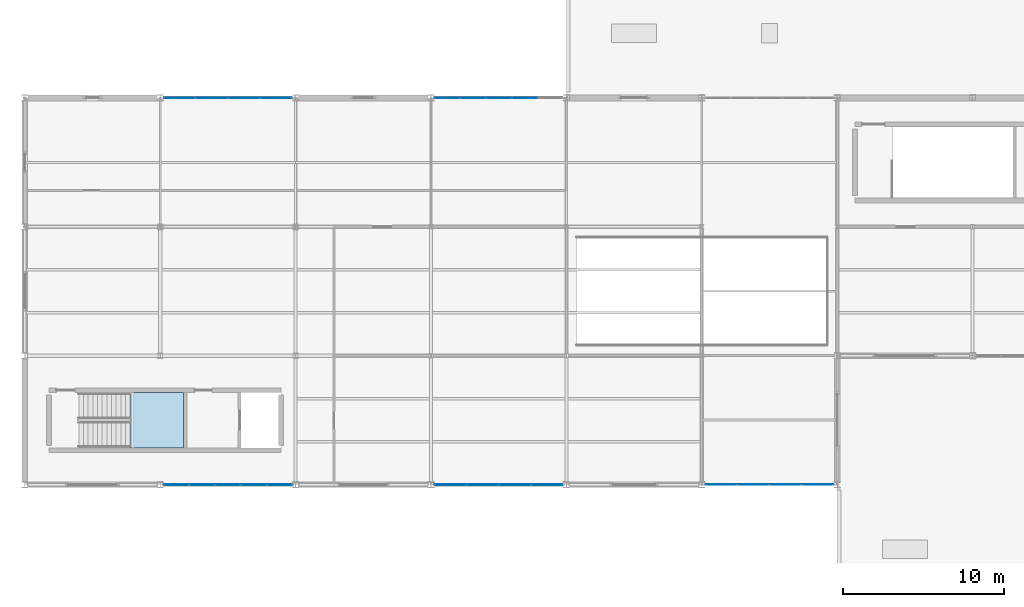
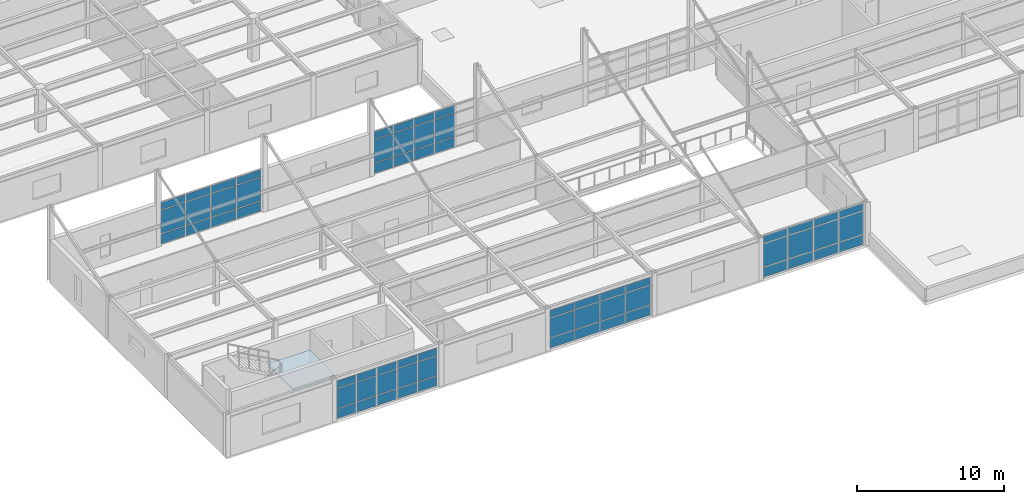
# One storey, part 36 of 96: 63 plates, 1 slab, 6 elements without a shape of their own.
"""IFC4 building model written with IfcOpenShell, lengths in metres."""

import ifcopenshell
import ifcopenshell.guid

model = None  # the IFC model being written
_history = None  # IfcOwnerHistory: only IFC2X3 demands one
_inside = {}  # id of a spatial element -> (the spatial element, [elements in it])
_under = {}  # id of a project, library or spatial element -> (it, [spatial elements below it])
_declared = {}  # id of a project -> (the project, [libraries it declares])
_typed = {}  # id of a type object -> (the type object, [elements of that type])
_made_of = {}  # id of a material, layer set ... -> (it, [elements and type objects made of it])


def new_model(schema):
    """Start an empty IFC model of exactly this schema.

    Asked for "IFC4X3", IfcOpenShell would pick the latest addendum, in which some entities
    have other attributes; the version numbers below select the first issue.
    IFC2X3 requires an IfcOwnerHistory on every rooted entity: one is made here for all.
    """
    global model, _history
    if schema == "IFC4X3":
        model = ifcopenshell.file(schema_version=(4, 3, 0, 0))
    else:
        model = ifcopenshell.file(schema=schema)
    _inside.clear()
    _under.clear()
    _declared.clear()
    _typed.clear()
    _made_of.clear()
    _history = None
    if model.schema == "IFC2X3":
        org = make("IfcOrganization", Name="unknown")
        user = make(
            "IfcPersonAndOrganization",
            ThePerson=make("IfcPerson", FamilyName="unknown"),
            TheOrganization=org,
        )
        app = make(
            "IfcApplication",
            ApplicationDeveloper=org,
            Version="unknown",
            ApplicationFullName="unknown",
            ApplicationIdentifier="unknown",
        )
        _history = make(
            "IfcOwnerHistory",
            OwningUser=user,
            OwningApplication=app,
            ChangeAction="ADDED",
            CreationDate=0,
        )
    return model


def make(cls, **values):
    """One entity of the class cls with the attributes given. An attribute that is None is left unset."""
    return model.create_entity(
        cls, **{name: value for name, value in values.items() if value is not None}
    )


def rooted(cls, **values):
    """An entity with a GlobalId (a new one), such as an element, a storey or a relation."""
    return make(cls, GlobalId=ifcopenshell.guid.new(), OwnerHistory=_history, **values)


def si_unit(unit_type, name, prefix=None):
    """IfcSIUnit, for example si_unit("LENGTHUNIT", "METRE", prefix="MILLI")."""
    return make("IfcSIUnit", UnitType=unit_type, Prefix=prefix, Name=name)


def assignment(units):
    """IfcUnitAssignment: the units of a project."""
    return None if units is None else make("IfcUnitAssignment", Units=units)


def point(xyz):
    """IfcCartesianPoint."""
    return None if xyz is None else make("IfcCartesianPoint", Coordinates=xyz)


def direction(xyz):
    """IfcDirection."""
    return None if xyz is None else make("IfcDirection", DirectionRatios=xyz)


def frame(location, z_axis=None, x_axis=None):
    """IfcAxis2Placement3D, a coordinate frame: its origin and axes. An axis left out is left unset."""
    return make(
        "IfcAxis2Placement3D",
        Location=point(location),
        Axis=direction(z_axis),
        RefDirection=direction(x_axis),
    )


def frame_2d(location, x_axis=None):
    """IfcAxis2Placement2D, a coordinate frame in the plane: its origin and x axis."""
    return make(
        "IfcAxis2Placement2D", Location=point(location), RefDirection=direction(x_axis)
    )


def origin():
    """The frame at (0, 0, 0) with its axes left unset."""
    return frame((0.0, 0.0, 0.0))


def origin_2d():
    """The frame at (0, 0) in the plane with its x axis left unset."""
    return frame_2d((0.0, 0.0))


def place(relative_to, where):
    """IfcLocalPlacement: puts the frame where relative to a parent placement (None: the world)."""
    return make(
        "IfcLocalPlacement", PlacementRelTo=relative_to, RelativePlacement=where
    )


def context(
    kind, dimensions, precision=None, world=None, true_north=None, identifier=None
):
    """IfcGeometricRepresentationContext, for example the 3D "Model" context."""
    return make(
        "IfcGeometricRepresentationContext",
        ContextIdentifier=identifier,
        ContextType=kind,
        CoordinateSpaceDimension=dimensions,
        Precision=precision,
        WorldCoordinateSystem=world,
        TrueNorth=true_north,
    )


def subcontext(parent, identifier, kind, view, scale=None):
    """IfcGeometricRepresentationSubContext, for example "Body" below "Model"."""
    return make(
        "IfcGeometricRepresentationSubContext",
        ContextIdentifier=identifier,
        ContextType=kind,
        ParentContext=parent,
        TargetScale=scale,
        TargetView=view,
    )


def project(units=None, contexts=None):
    """IfcProject with its units and contexts."""
    return rooted(
        "IfcProject",
        Name="project",
        RepresentationContexts=contexts,
        UnitsInContext=assignment(units),
    )


def spatial(cls, under=None, at=None, **own):
    """A site, building, storey or space (cls), placed at a placement, below another one or the project."""
    s = rooted(cls, ObjectPlacement=at, **own)
    if under is not None:
        _under.setdefault(under.id(), (under, []))[1].append(s)
    return s


def polyline(points):
    """IfcPolyline through the points."""
    return make("IfcPolyline", Points=[point(p) for p in points])


def profile(cls, at=None, kind="AREA", **sizes):
    """A parametric profile (cls). Its sizes go by their IFC names, for example OverallWidth=200.0."""
    return make(cls, ProfileType=kind, Position=at, **sizes)


def rectangle(**sizes):
    """IfcRectangleProfileDef."""
    return profile("IfcRectangleProfileDef", **sizes)


def outline(outer, holes=None, kind="AREA"):
    """IfcArbitraryClosedProfileDef: a profile drawn as a closed curve; with holes, ...WithVoids."""
    if holes is None:
        return make("IfcArbitraryClosedProfileDef", ProfileType=kind, OuterCurve=outer)
    return make(
        "IfcArbitraryProfileDefWithVoids",
        ProfileType=kind,
        OuterCurve=outer,
        InnerCurves=holes,
    )


def extrude(swept, where, along, depth):
    """IfcExtrudedAreaSolid: the profile swept, set in the frame where, extruded along a direction by depth."""
    return make(
        "IfcExtrudedAreaSolid",
        SweptArea=swept,
        Position=where,
        ExtrudedDirection=direction(along),
        Depth=depth,
    )


def shape(context_of_items, identifier, shape_type, items):
    """IfcShapeRepresentation: the items that make up one representation, for example the "Body"."""
    return make(
        "IfcShapeRepresentation",
        ContextOfItems=context_of_items,
        RepresentationIdentifier=identifier,
        RepresentationType=shape_type,
        Items=items,
    )


def material(Name=None, Category=None):
    """IfcMaterial."""
    return make("IfcMaterial", Name=Name, Category=Category)


def layer(
    of_material, thickness, ventilated=None, Name=None, Category=None, Priority=None
):
    """IfcMaterialLayer: one layer of a wall or slab, of a material (None: an air gap)."""
    return make(
        "IfcMaterialLayer",
        Material=of_material,
        LayerThickness=thickness,
        IsVentilated=ventilated,
        Name=Name,
        Category=Category,
        Priority=Priority,
    )


def layer_set(layers, Name=None):
    """IfcMaterialLayerSet."""
    return make("IfcMaterialLayerSet", MaterialLayers=layers, LayerSetName=Name)


def made_of(thing, what):
    """Note that an element or type object is made of a material, layer set ...; save() writes the relation."""
    if what is not None:
        _made_of.setdefault(what.id(), (what, []))[1].append(thing)
    return thing


def type_object(cls, material=None, **own):
    """A type object (cls), such as IfcWallType, which elements share."""
    return made_of(rooted(cls, **own), material)


def element(
    cls,
    number,
    at=None,
    inside=None,
    cuts=None,
    type_object=None,
    material=None,
    context=None,
    identifier="Body",
    shape_type=None,
    held_by="IfcProductDefinitionShape",
    body=None,
    shapes=None,
    **own,
):
    """One element of the class cls, such as IfcWall. Its Tag is "e" and its number.

    at: its placement. inside: the storey or other place that contains it. cuts: it is an
    opening in that element (IfcRelVoidsElement). A single representation is given by context,
    identifier, shape_type and body (its items); several are given by shapes. held_by: the class
    of the entity that holds the representations. save() writes the other relations.
    """
    e = rooted(cls, Tag="e%d" % number, ObjectPlacement=at, **own)
    if body is not None:
        shapes = [shape(context, identifier, shape_type, body)]
    if shapes is not None:
        e.Representation = make(held_by, Representations=shapes)
    if inside is not None:
        _inside.setdefault(inside.id(), (inside, []))[1].append(e)
    if cuts is not None:
        rooted(
            "IfcRelVoidsElement", RelatingBuildingElement=cuts, RelatedOpeningElement=e
        )
    if type_object is not None:
        _typed.setdefault(type_object.id(), (type_object, []))[1].append(e)
    return made_of(e, material)


def aggregate(whole, parts):
    """IfcRelAggregates: a whole, such as a stair, and the parts it consists of."""
    return rooted("IfcRelAggregates", RelatingObject=whole, RelatedObjects=parts)


def save(model, path):
    """Write the relations noted so far, then the file.

    IfcRelAggregates (storeys below a building ...), IfcRelContainedInSpatialStructure (elements
    in a storey), IfcRelDefinesByType, IfcRelAssociatesMaterial and IfcRelDeclares: one each for
    every whole, place, type object, material and project.
    """
    for whole, parts in _under.values():
        aggregate(whole, parts)
    for where, things in _inside.values():
        rooted(
            "IfcRelContainedInSpatialStructure",
            RelatedElements=things,
            RelatingStructure=where,
        )
    for kind, things in _typed.values():
        rooted("IfcRelDefinesByType", RelatedObjects=things, RelatingType=kind)
    for what, things in _made_of.values():
        rooted("IfcRelAssociatesMaterial", RelatedObjects=things, RelatingMaterial=what)
    for by, libraries in _declared.values():
        rooted("IfcRelDeclares", RelatingContext=by, RelatedDefinitions=libraries)
    model.write(path)


model = new_model("IFC4")

# Units and contexts
model_context = context("Model", 3, precision=1e-05, world=origin(), true_north=direction((0.0, 1.0)))
body_context = subcontext(model_context, "Body", "Model", "MODEL_VIEW")
ifc_project = project(units=[si_unit("LENGTHUNIT", "METRE"), si_unit("AREAUNIT", "SQUARE_METRE"), si_unit("VOLUMEUNIT", "CUBIC_METRE"), si_unit("PLANEANGLEUNIT", "RADIAN"), si_unit("MASSUNIT", "GRAM", prefix="KILO")], contexts=[model_context])

# Site, building, storey
site_placement = place(None, origin())
site = spatial("IfcSite", under=ifc_project, at=site_placement, CompositionType="ELEMENT")
building_placement = place(site_placement, origin())
building = spatial("IfcBuilding", under=site, at=building_placement, Name="Kranzveld Transit Interchange", CompositionType="ELEMENT")
storey_placement = place(building_placement, frame((0.0, 0.0, 9.52001953125)))
storey = spatial("IfcBuildingStorey", under=building, at=storey_placement, Name="L02", CompositionType="ELEMENT", Elevation=9.52001953125)

# Curtain wall, plates
ifc_material_1 = material(Name="Bronze-anodised thermally broken aluminium", Category="aluminium")
ifc_layer_1 = layer(ifc_material_1, 0.159912109375)
ifc_layer_set_1 = layer_set([ifc_layer_1], Name="Bronze-anodised thermally broken aluminium")
curtain_wall_type_1 = type_object("IfcCurtainWallType", Name="Bus Boarding Glazed Screen CW-3", PredefinedType="USERDEFINED", material=ifc_layer_set_1)
curtain_wall_1_placement = place(storey_placement, origin())
curtain_wall_1 = element("IfcCurtainWall", 1, at=curtain_wall_1_placement, inside=storey, type_object=curtain_wall_type_1, Name="L02 Curtain Wall 02/F-03/F", ObjectType="CURTAIN WALL", PredefinedType="USERDEFINED")
ifc_material_2 = material(Name="Solar-control double glazing", Category="glass")
ifc_layer_2 = layer(ifc_material_2, 0.031982421875)
ifc_layer_set_2 = layer_set([ifc_layer_2], Name="Solar-control double glazing")
plate_type_1 = type_object("IfcPlateType", Name="Curtain Panel Acoustic Glazing 32", PredefinedType="CURTAIN_PANEL", material=ifc_layer_set_2)
plate_1_placement = place(storey_placement, frame((9.60546875, 40.0, 0.06005859375), z_axis=(0.0, 0.0, 1.0), x_axis=(1.0, 0.0, 0.0)))
plate_1 = element("IfcPlate", 2, at=plate_1_placement, type_object=plate_type_1, Name="CW-3 panel 1.1", PredefinedType="CURTAIN_PANEL", context=body_context, shape_type="SweptSolid", body=[
    extrude(rectangle(XDim=1.916259765625, YDim=0.031982421875, at=origin_2d()), origin(), (0.0, 0.0, 1.0), 0.81005859375),
])
plate_2_placement = place(storey_placement, frame((9.60546875, 40.0, 0.93017578125), z_axis=(0.0, 0.0, 1.0), x_axis=(1.0, 0.0, 0.0)))
plate_2 = element("IfcPlate", 3, at=plate_2_placement, type_object=plate_type_1, Name="CW-3 panel 1.2", PredefinedType="CURTAIN_PANEL", context=body_context, shape_type="SweptSolid", body=[
    extrude(rectangle(XDim=1.916259765625, YDim=0.031982421875, at=origin_2d()), origin(), (0.0, 0.0, 1.0), 1.909912109375),
])
plate_3_placement = place(storey_placement, frame((9.60546875, 40.0, 2.89990234375), z_axis=(0.0, 0.0, 1.0), x_axis=(1.0, 0.0, 0.0)))
plate_3 = element("IfcPlate", 4, at=plate_3_placement, type_object=plate_type_1, Name="CW-3 panel 1.3", PredefinedType="CURTAIN_PANEL", context=body_context, shape_type="SweptSolid", body=[
    extrude(rectangle(XDim=1.916259765625, YDim=0.031982421875, at=origin_2d()), origin(), (0.0, 0.0, 1.0), 0.610107421875),
])
plate_4_placement = place(storey_placement, frame((11.596923828125, 40.0, 0.06005859375), z_axis=(0.0, 0.0, 1.0), x_axis=(1.0, 0.0, 0.0)))
plate_4 = element("IfcPlate", 5, at=plate_4_placement, type_object=plate_type_1, Name="CW-3 panel 2.1", PredefinedType="CURTAIN_PANEL", context=body_context, shape_type="SweptSolid", body=[
    extrude(rectangle(XDim=1.9462890625, YDim=0.031982421875, at=origin_2d()), origin(), (0.0, 0.0, 1.0), 0.81005859375),
])
plate_5_placement = place(storey_placement, frame((11.596923828125, 40.0, 0.93017578125), z_axis=(0.0, 0.0, 1.0), x_axis=(1.0, 0.0, 0.0)))
plate_5 = element("IfcPlate", 6, at=plate_5_placement, type_object=plate_type_1, Name="CW-3 panel 2.2", PredefinedType="CURTAIN_PANEL", context=body_context, shape_type="SweptSolid", body=[
    extrude(rectangle(XDim=1.9462890625, YDim=0.031982421875, at=origin_2d()), origin(), (0.0, 0.0, 1.0), 1.909912109375),
])
plate_6_placement = place(storey_placement, frame((11.596923828125, 40.0, 2.89990234375), z_axis=(0.0, 0.0, 1.0), x_axis=(1.0, 0.0, 0.0)))
plate_6 = element("IfcPlate", 7, at=plate_6_placement, type_object=plate_type_1, Name="CW-3 panel 2.3", PredefinedType="CURTAIN_PANEL", context=body_context, shape_type="SweptSolid", body=[
    extrude(rectangle(XDim=1.9462890625, YDim=0.031982421875, at=origin_2d()), origin(), (0.0, 0.0, 1.0), 0.610107421875),
])
plate_7_placement = place(storey_placement, frame((13.603271484375, 40.0, 0.06005859375), z_axis=(0.0, 0.0, 1.0), x_axis=(1.0, 0.0, 0.0)))
plate_7 = element("IfcPlate", 8, at=plate_7_placement, type_object=plate_type_1, Name="CW-3 panel 3.1", PredefinedType="CURTAIN_PANEL", context=body_context, shape_type="SweptSolid", body=[
    extrude(rectangle(XDim=1.9462890625, YDim=0.031982421875, at=origin_2d()), origin(), (0.0, 0.0, 1.0), 0.81005859375),
])
plate_8_placement = place(storey_placement, frame((13.603271484375, 40.0, 0.93017578125), z_axis=(0.0, 0.0, 1.0), x_axis=(1.0, 0.0, 0.0)))
plate_8 = element("IfcPlate", 9, at=plate_8_placement, type_object=plate_type_1, Name="CW-3 panel 3.2", PredefinedType="CURTAIN_PANEL", context=body_context, shape_type="SweptSolid", body=[
    extrude(rectangle(XDim=1.9462890625, YDim=0.031982421875, at=origin_2d()), origin(), (0.0, 0.0, 1.0), 1.909912109375),
])
plate_9_placement = place(storey_placement, frame((13.603271484375, 40.0, 2.89990234375), z_axis=(0.0, 0.0, 1.0), x_axis=(1.0, 0.0, 0.0)))
plate_9 = element("IfcPlate", 10, at=plate_9_placement, type_object=plate_type_1, Name="CW-3 panel 3.3", PredefinedType="CURTAIN_PANEL", context=body_context, shape_type="SweptSolid", body=[
    extrude(rectangle(XDim=1.9462890625, YDim=0.031982421875, at=origin_2d()), origin(), (0.0, 0.0, 1.0), 0.610107421875),
])
plate_10_placement = place(storey_placement, frame((15.594482421875, 40.0, 0.06005859375), z_axis=(0.0, 0.0, 1.0), x_axis=(1.0, 0.0, 0.0)))
plate_10 = element("IfcPlate", 11, at=plate_10_placement, type_object=plate_type_1, Name="CW-3 panel 4.1", PredefinedType="CURTAIN_PANEL", context=body_context, shape_type="SweptSolid", body=[
    extrude(rectangle(XDim=1.916259765625, YDim=0.031982421875, at=origin_2d()), origin(), (0.0, 0.0, 1.0), 0.81005859375),
])
plate_11_placement = place(storey_placement, frame((15.594482421875, 40.0, 0.93017578125), z_axis=(0.0, 0.0, 1.0), x_axis=(1.0, 0.0, 0.0)))
plate_11 = element("IfcPlate", 12, at=plate_11_placement, type_object=plate_type_1, Name="CW-3 panel 4.2", PredefinedType="CURTAIN_PANEL", context=body_context, shape_type="SweptSolid", body=[
    extrude(rectangle(XDim=1.916259765625, YDim=0.031982421875, at=origin_2d()), origin(), (0.0, 0.0, 1.0), 1.909912109375),
])
plate_12_placement = place(storey_placement, frame((15.594482421875, 40.0, 2.89990234375), z_axis=(0.0, 0.0, 1.0), x_axis=(1.0, 0.0, 0.0)))
plate_12 = element("IfcPlate", 13, at=plate_12_placement, type_object=plate_type_1, Name="CW-3 panel 4.3", PredefinedType="CURTAIN_PANEL", context=body_context, shape_type="SweptSolid", body=[
    extrude(rectangle(XDim=1.916259765625, YDim=0.031982421875, at=origin_2d()), origin(), (0.0, 0.0, 1.0), 0.610107421875),
])
aggregate(curtain_wall_1, [plate_1, plate_2, plate_3, plate_4, plate_5, plate_6, plate_7, plate_8, plate_9, plate_10, plate_11, plate_12])

ifc_material_3 = material(Name="Bronze-anodised thermally broken aluminium", Category="aluminium")
ifc_layer_3 = layer(ifc_material_3, 0.179931640625)
ifc_layer_set_3 = layer_set([ifc_layer_3], Name="Bronze-anodised thermally broken aluminium")
curtain_wall_type_2 = type_object("IfcCurtainWallType", Name="Concourse Unitised Curtain Wall CW-1", PredefinedType="USERDEFINED", material=ifc_layer_set_3)
curtain_wall_2_placement = place(storey_placement, origin())
curtain_wall_2 = element("IfcCurtainWall", 14, at=curtain_wall_2_placement, inside=storey, type_object=curtain_wall_type_2, Name="L02 Curtain Wall 06/C-07/C", ObjectType="CURTAIN WALL", PredefinedType="USERDEFINED")
ifc_material_4 = material(Name="Solar-control double glazing", Category="glass")
ifc_layer_4 = layer(ifc_material_4, 0.028076171875)
ifc_layer_set_4 = layer_set([ifc_layer_4], Name="Solar-control double glazing")
plate_type_2 = type_object("IfcPlateType", Name="Curtain Panel Double Glazing 28", PredefinedType="CURTAIN_PANEL", material=ifc_layer_set_4)
plate_13_placement = place(storey_placement, frame((43.206787109375, 16.0, 0.06494140625), z_axis=(0.0, 0.0, 1.0), x_axis=(1.0, 0.0, 0.0)))
plate_13 = element("IfcPlate", 15, at=plate_13_placement, type_object=plate_type_2, Name="CW-1 panel 1.1", PredefinedType="CURTAIN_PANEL", context=body_context, shape_type="SweptSolid", body=[
    extrude(rectangle(XDim=1.908935546875, YDim=0.028076171875, at=origin_2d()), origin(), (0.0, 0.0, 1.0), 0.802490234375),
])
plate_14_placement = place(storey_placement, frame((43.206787109375, 16.0, 0.9326171875), z_axis=(0.0, 0.0, 1.0), x_axis=(1.0, 0.0, 0.0)))
plate_14 = element("IfcPlate", 16, at=plate_14_placement, type_object=plate_type_2, Name="CW-1 panel 1.2", PredefinedType="CURTAIN_PANEL", context=body_context, shape_type="SweptSolid", body=[
    extrude(rectangle(XDim=1.908935546875, YDim=0.028076171875, at=origin_2d()), origin(), (0.0, 0.0, 1.0), 1.905029296875),
])
plate_15_placement = place(storey_placement, frame((43.206787109375, 16.0, 2.90234375), z_axis=(0.0, 0.0, 1.0), x_axis=(1.0, 0.0, 0.0)))
plate_15 = element("IfcPlate", 17, at=plate_15_placement, type_object=plate_type_2, Name="CW-1 panel 1.3", PredefinedType="CURTAIN_PANEL", context=body_context, shape_type="SweptSolid", body=[
    extrude(rectangle(XDim=1.908935546875, YDim=0.028076171875, at=origin_2d()), origin(), (0.0, 0.0, 1.0), 0.6025390625),
])
plate_16_placement = place(storey_placement, frame((45.19677734375, 16.0, 0.06494140625), z_axis=(0.0, 0.0, 1.0), x_axis=(1.0, 0.0, 0.0)))
plate_16 = element("IfcPlate", 18, at=plate_16_placement, type_object=plate_type_2, Name="CW-1 panel 2.1", PredefinedType="CURTAIN_PANEL", context=body_context, shape_type="SweptSolid", body=[
    extrude(rectangle(XDim=1.94140625, YDim=0.028076171875, at=origin_2d()), origin(), (0.0, 0.0, 1.0), 0.802490234375),
])
plate_17_placement = place(storey_placement, frame((45.19677734375, 16.0, 0.9326171875), z_axis=(0.0, 0.0, 1.0), x_axis=(1.0, 0.0, 0.0)))
plate_17 = element("IfcPlate", 19, at=plate_17_placement, type_object=plate_type_2, Name="CW-1 panel 2.2", PredefinedType="CURTAIN_PANEL", context=body_context, shape_type="SweptSolid", body=[
    extrude(rectangle(XDim=1.94140625, YDim=0.028076171875, at=origin_2d()), origin(), (0.0, 0.0, 1.0), 1.905029296875),
])
plate_18_placement = place(storey_placement, frame((45.19677734375, 16.0, 2.90234375), z_axis=(0.0, 0.0, 1.0), x_axis=(1.0, 0.0, 0.0)))
plate_18 = element("IfcPlate", 20, at=plate_18_placement, type_object=plate_type_2, Name="CW-1 panel 2.3", PredefinedType="CURTAIN_PANEL", context=body_context, shape_type="SweptSolid", body=[
    extrude(rectangle(XDim=1.94140625, YDim=0.028076171875, at=origin_2d()), origin(), (0.0, 0.0, 1.0), 0.6025390625),
])
plate_19_placement = place(storey_placement, frame((47.203125, 16.0, 0.06494140625), z_axis=(0.0, 0.0, 1.0), x_axis=(1.0, 0.0, 0.0)))
plate_19 = element("IfcPlate", 21, at=plate_19_placement, type_object=plate_type_2, Name="CW-1 panel 3.1", PredefinedType="CURTAIN_PANEL", context=body_context, shape_type="SweptSolid", body=[
    extrude(rectangle(XDim=1.94140625, YDim=0.028076171875, at=origin_2d()), origin(), (0.0, 0.0, 1.0), 0.802490234375),
])
plate_20_placement = place(storey_placement, frame((47.203125, 16.0, 0.9326171875), z_axis=(0.0, 0.0, 1.0), x_axis=(1.0, 0.0, 0.0)))
plate_20 = element("IfcPlate", 22, at=plate_20_placement, type_object=plate_type_2, Name="CW-1 panel 3.2", PredefinedType="CURTAIN_PANEL", context=body_context, shape_type="SweptSolid", body=[
    extrude(rectangle(XDim=1.94140625, YDim=0.028076171875, at=origin_2d()), origin(), (0.0, 0.0, 1.0), 1.905029296875),
])
plate_21_placement = place(storey_placement, frame((47.203125, 16.0, 2.90234375), z_axis=(0.0, 0.0, 1.0), x_axis=(1.0, 0.0, 0.0)))
plate_21 = element("IfcPlate", 23, at=plate_21_placement, type_object=plate_type_2, Name="CW-1 panel 3.3", PredefinedType="CURTAIN_PANEL", context=body_context, shape_type="SweptSolid", body=[
    extrude(rectangle(XDim=1.94140625, YDim=0.028076171875, at=origin_2d()), origin(), (0.0, 0.0, 1.0), 0.6025390625),
])
plate_22_placement = place(storey_placement, frame((49.193359375, 16.0, 0.06494140625), z_axis=(0.0, 0.0, 1.0), x_axis=(1.0, 0.0, 0.0)))
plate_22 = element("IfcPlate", 24, at=plate_22_placement, type_object=plate_type_2, Name="CW-1 panel 4.1", PredefinedType="CURTAIN_PANEL", context=body_context, shape_type="SweptSolid", body=[
    extrude(rectangle(XDim=1.908935546875, YDim=0.028076171875, at=origin_2d()), origin(), (0.0, 0.0, 1.0), 0.802490234375),
])
plate_23_placement = place(storey_placement, frame((49.193359375, 16.0, 0.9326171875), z_axis=(0.0, 0.0, 1.0), x_axis=(1.0, 0.0, 0.0)))
plate_23 = element("IfcPlate", 25, at=plate_23_placement, type_object=plate_type_2, Name="CW-1 panel 4.2", PredefinedType="CURTAIN_PANEL", context=body_context, shape_type="SweptSolid", body=[
    extrude(rectangle(XDim=1.908935546875, YDim=0.028076171875, at=origin_2d()), origin(), (0.0, 0.0, 1.0), 1.905029296875),
])
plate_24_placement = place(storey_placement, frame((49.193359375, 16.0, 2.90234375), z_axis=(0.0, 0.0, 1.0), x_axis=(1.0, 0.0, 0.0)))
plate_24 = element("IfcPlate", 26, at=plate_24_placement, type_object=plate_type_2, Name="CW-1 panel 4.3", PredefinedType="CURTAIN_PANEL", context=body_context, shape_type="SweptSolid", body=[
    extrude(rectangle(XDim=1.908935546875, YDim=0.028076171875, at=origin_2d()), origin(), (0.0, 0.0, 1.0), 0.6025390625),
])
aggregate(curtain_wall_2, [plate_13, plate_14, plate_15, plate_16, plate_17, plate_18, plate_19, plate_20, plate_21, plate_22, plate_23, plate_24])

ifc_material_5 = material(Name="Bronze-anodised thermally broken aluminium", Category="aluminium")
ifc_layer_5 = layer(ifc_material_5, 0.14990234375)
ifc_layer_set_5 = layer_set([ifc_layer_5], Name="Bronze-anodised thermally broken aluminium")
curtain_wall_type_3 = type_object("IfcCurtainWallType", Name="Public Passage Clerestory Screen CW-4", PredefinedType="USERDEFINED", material=ifc_layer_set_5)
curtain_wall_3_placement = place(storey_placement, origin())
curtain_wall_3 = element("IfcCurtainWall", 27, at=curtain_wall_3_placement, inside=storey, type_object=curtain_wall_type_3, Name="L02 Curtain Wall 04/F-05/F", ObjectType="CURTAIN WALL", PredefinedType="USERDEFINED")
ifc_material_6 = material(Name="Solar-control double glazing", Category="glass")
ifc_layer_6 = layer(ifc_material_6, 0.0419921875)
ifc_layer_set_6 = layer_set([ifc_layer_6], Name="Solar-control double glazing")
plate_type_3 = type_object("IfcPlateType", Name="Curtain Panel Laminated Glazing 42", PredefinedType="CURTAIN_PANEL", material=ifc_layer_set_6)
plate_25_placement = place(storey_placement, frame((26.204833984375, 40.0, 0.06005859375), z_axis=(0.0, 0.0, 1.0), x_axis=(1.0, 0.0, 0.0)))
plate_25 = element("IfcPlate", 28, at=plate_25_placement, type_object=plate_type_3, Name="CW-4 panel 1.1", PredefinedType="CURTAIN_PANEL", context=body_context, shape_type="SweptSolid", body=[
    extrude(rectangle(XDim=1.51513671875, YDim=0.0419921875, at=origin_2d()), origin(), (0.0, 0.0, 1.0), 0.81005859375),
])
plate_26_placement = place(storey_placement, frame((26.204833984375, 40.0, 0.93017578125), z_axis=(0.0, 0.0, 1.0), x_axis=(1.0, 0.0, 0.0)))
plate_26 = element("IfcPlate", 29, at=plate_26_placement, type_object=plate_type_3, Name="CW-4 panel 1.2", PredefinedType="CURTAIN_PANEL", context=body_context, shape_type="SweptSolid", body=[
    extrude(rectangle(XDim=1.51513671875, YDim=0.0419921875, at=origin_2d()), origin(), (0.0, 0.0, 1.0), 1.909912109375),
])
plate_27_placement = place(storey_placement, frame((26.204833984375, 40.0, 2.89990234375), z_axis=(0.0, 0.0, 1.0), x_axis=(1.0, 0.0, 0.0)))
plate_27 = element("IfcPlate", 30, at=plate_27_placement, type_object=plate_type_3, Name="CW-4 panel 1.3", PredefinedType="CURTAIN_PANEL", context=body_context, shape_type="SweptSolid", body=[
    extrude(rectangle(XDim=1.51513671875, YDim=0.0419921875, at=origin_2d()), origin(), (0.0, 0.0, 1.0), 0.610107421875),
])
plate_28_placement = place(storey_placement, frame((27.794921875, 40.0, 0.06005859375), z_axis=(0.0, 0.0, 1.0), x_axis=(1.0, 0.0, 0.0)))
plate_28 = element("IfcPlate", 31, at=plate_28_placement, type_object=plate_type_3, Name="CW-4 panel 2.1", PredefinedType="CURTAIN_PANEL", context=body_context, shape_type="SweptSolid", body=[
    extrude(rectangle(XDim=1.545166015625, YDim=0.0419921875, at=origin_2d()), origin(), (0.0, 0.0, 1.0), 0.81005859375),
])
plate_29_placement = place(storey_placement, frame((27.794921875, 40.0, 0.93017578125), z_axis=(0.0, 0.0, 1.0), x_axis=(1.0, 0.0, 0.0)))
plate_29 = element("IfcPlate", 32, at=plate_29_placement, type_object=plate_type_3, Name="CW-4 panel 2.2", PredefinedType="CURTAIN_PANEL", context=body_context, shape_type="SweptSolid", body=[
    extrude(rectangle(XDim=1.545166015625, YDim=0.0419921875, at=origin_2d()), origin(), (0.0, 0.0, 1.0), 1.909912109375),
])
plate_30_placement = place(storey_placement, frame((27.794921875, 40.0, 2.89990234375), z_axis=(0.0, 0.0, 1.0), x_axis=(1.0, 0.0, 0.0)))
plate_30 = element("IfcPlate", 33, at=plate_30_placement, type_object=plate_type_3, Name="CW-4 panel 2.3", PredefinedType="CURTAIN_PANEL", context=body_context, shape_type="SweptSolid", body=[
    extrude(rectangle(XDim=1.545166015625, YDim=0.0419921875, at=origin_2d()), origin(), (0.0, 0.0, 1.0), 0.610107421875),
])
plate_31_placement = place(storey_placement, frame((29.39990234375, 40.0, 0.06005859375), z_axis=(0.0, 0.0, 1.0), x_axis=(1.0, 0.0, 0.0)))
plate_31 = element("IfcPlate", 34, at=plate_31_placement, type_object=plate_type_3, Name="CW-4 panel 3.1", PredefinedType="CURTAIN_PANEL", context=body_context, shape_type="SweptSolid", body=[
    extrude(rectangle(XDim=1.545166015625, YDim=0.0419921875, at=origin_2d()), origin(), (0.0, 0.0, 1.0), 0.81005859375),
])
plate_32_placement = place(storey_placement, frame((29.39990234375, 40.0, 0.93017578125), z_axis=(0.0, 0.0, 1.0), x_axis=(1.0, 0.0, 0.0)))
plate_32 = element("IfcPlate", 35, at=plate_32_placement, type_object=plate_type_3, Name="CW-4 panel 3.2", PredefinedType="CURTAIN_PANEL", context=body_context, shape_type="SweptSolid", body=[
    extrude(rectangle(XDim=1.545166015625, YDim=0.0419921875, at=origin_2d()), origin(), (0.0, 0.0, 1.0), 1.909912109375),
])
plate_33_placement = place(storey_placement, frame((29.39990234375, 40.0, 2.89990234375), z_axis=(0.0, 0.0, 1.0), x_axis=(1.0, 0.0, 0.0)))
plate_33 = element("IfcPlate", 36, at=plate_33_placement, type_object=plate_type_3, Name="CW-4 panel 3.3", PredefinedType="CURTAIN_PANEL", context=body_context, shape_type="SweptSolid", body=[
    extrude(rectangle(XDim=1.545166015625, YDim=0.0419921875, at=origin_2d()), origin(), (0.0, 0.0, 1.0), 0.610107421875),
])
plate_34_placement = place(storey_placement, frame((31.005126953125, 40.0, 0.06005859375), z_axis=(0.0, 0.0, 1.0), x_axis=(1.0, 0.0, 0.0)))
plate_34 = element("IfcPlate", 37, at=plate_34_placement, type_object=plate_type_3, Name="CW-4 panel 4.1", PredefinedType="CURTAIN_PANEL", context=body_context, shape_type="SweptSolid", body=[
    extrude(rectangle(XDim=1.545166015625, YDim=0.0419921875, at=origin_2d()), origin(), (0.0, 0.0, 1.0), 0.81005859375),
])
plate_35_placement = place(storey_placement, frame((31.005126953125, 40.0, 0.93017578125), z_axis=(0.0, 0.0, 1.0), x_axis=(1.0, 0.0, 0.0)))
plate_35 = element("IfcPlate", 38, at=plate_35_placement, type_object=plate_type_3, Name="CW-4 panel 4.2", PredefinedType="CURTAIN_PANEL", context=body_context, shape_type="SweptSolid", body=[
    extrude(rectangle(XDim=1.545166015625, YDim=0.0419921875, at=origin_2d()), origin(), (0.0, 0.0, 1.0), 1.909912109375),
])
plate_36_placement = place(storey_placement, frame((31.005126953125, 40.0, 2.89990234375), z_axis=(0.0, 0.0, 1.0), x_axis=(1.0, 0.0, 0.0)))
plate_36 = element("IfcPlate", 39, at=plate_36_placement, type_object=plate_type_3, Name="CW-4 panel 4.3", PredefinedType="CURTAIN_PANEL", context=body_context, shape_type="SweptSolid", body=[
    extrude(rectangle(XDim=1.545166015625, YDim=0.0419921875, at=origin_2d()), origin(), (0.0, 0.0, 1.0), 0.610107421875),
])
aggregate(curtain_wall_3, [plate_25, plate_26, plate_27, plate_28, plate_29, plate_30, plate_31, plate_32, plate_33, plate_34, plate_35, plate_36])

ifc_material_7 = material(Name="Bronze-anodised thermally broken aluminium", Category="aluminium")
ifc_layer_7 = layer(ifc_material_7, 0.1650390625)
ifc_layer_set_7 = layer_set([ifc_layer_7], Name="Bronze-anodised thermally broken aluminium")
curtain_wall_type_4 = type_object("IfcCurtainWallType", Name="Sunny Court Arcade Curtain Wall CW-2", PredefinedType="USERDEFINED", material=ifc_layer_set_7)
curtain_wall_4_placement = place(storey_placement, origin())
curtain_wall_4 = element("IfcCurtainWall", 40, at=curtain_wall_4_placement, inside=storey, type_object=curtain_wall_type_4, Name="L02 Curtain Wall 02/C-03/C", ObjectType="CURTAIN WALL", PredefinedType="USERDEFINED")
ifc_material_8 = material(Name="Pretoria red-purple clinker clay face brick, 35 MPa", Category="masonry")
ifc_layer_8 = layer(ifc_material_8, 0.050048828125)
ifc_layer_set_8 = layer_set([ifc_layer_8], Name="Pretoria red-purple clinker clay face brick, 35 MPa")
plate_type_4 = type_object("IfcPlateType", Name="Curtain Spandrel Clinker Tile 50", PredefinedType="CURTAIN_PANEL", material=ifc_layer_set_8)
plate_37_placement = place(storey_placement, frame((9.406005859375, 16.0, 0.06005859375), z_axis=(0.0, 0.0, 1.0), x_axis=(1.0, 0.0, 0.0)))
plate_37 = element("IfcPlate", 41, at=plate_37_placement, type_object=plate_type_4, Name="CW-2 panel 1.1", PredefinedType="CURTAIN_PANEL", context=body_context, shape_type="SweptSolid", body=[
    extrude(rectangle(XDim=1.507568359375, YDim=0.050048828125, at=origin_2d()), origin(), (0.0, 0.0, 1.0), 0.81005859375),
])
plate_38_placement = place(storey_placement, frame((9.406005859375, 16.0, 0.9296875), z_axis=(0.0, 0.0, 1.0), x_axis=(1.0, 0.0, 0.0)))
plate_38 = element("IfcPlate", 42, at=plate_38_placement, type_object=plate_type_4, Name="CW-2 panel 1.2", PredefinedType="CURTAIN_PANEL", context=body_context, shape_type="SweptSolid", body=[
    extrude(rectangle(XDim=1.507568359375, YDim=0.050048828125, at=origin_2d()), origin(), (0.0, 0.0, 1.0), 1.610107421875),
])
plate_39_placement = place(storey_placement, frame((9.406005859375, 16.0, 2.60009765625), z_axis=(0.0, 0.0, 1.0), x_axis=(1.0, 0.0, 0.0)))
plate_39 = element("IfcPlate", 43, at=plate_39_placement, type_object=plate_type_4, Name="CW-2 panel 1.3", PredefinedType="CURTAIN_PANEL", context=body_context, shape_type="SweptSolid", body=[
    extrude(rectangle(XDim=1.507568359375, YDim=0.050048828125, at=origin_2d()), origin(), (0.0, 0.0, 1.0), 0.610107421875),
])
plate_40_placement = place(storey_placement, frame((10.994873046875, 16.0, 0.06005859375), z_axis=(0.0, 0.0, 1.0), x_axis=(1.0, 0.0, 0.0)))
plate_40 = element("IfcPlate", 44, at=plate_40_placement, type_object=plate_type_4, Name="CW-2 panel 2.1", PredefinedType="CURTAIN_PANEL", context=body_context, shape_type="SweptSolid", body=[
    extrude(rectangle(XDim=1.5400390625, YDim=0.050048828125, at=origin_2d()), origin(), (0.0, 0.0, 1.0), 0.81005859375),
])
plate_41_placement = place(storey_placement, frame((10.994873046875, 16.0, 0.9296875), z_axis=(0.0, 0.0, 1.0), x_axis=(1.0, 0.0, 0.0)))
plate_41 = element("IfcPlate", 45, at=plate_41_placement, type_object=plate_type_4, Name="CW-2 panel 2.2", PredefinedType="CURTAIN_PANEL", context=body_context, shape_type="SweptSolid", body=[
    extrude(rectangle(XDim=1.5400390625, YDim=0.050048828125, at=origin_2d()), origin(), (0.0, 0.0, 1.0), 1.610107421875),
])
plate_42_placement = place(storey_placement, frame((10.994873046875, 16.0, 2.60009765625), z_axis=(0.0, 0.0, 1.0), x_axis=(1.0, 0.0, 0.0)))
plate_42 = element("IfcPlate", 46, at=plate_42_placement, type_object=plate_type_4, Name="CW-2 panel 2.3", PredefinedType="CURTAIN_PANEL", context=body_context, shape_type="SweptSolid", body=[
    extrude(rectangle(XDim=1.5400390625, YDim=0.050048828125, at=origin_2d()), origin(), (0.0, 0.0, 1.0), 0.610107421875),
])
plate_43_placement = place(storey_placement, frame((12.60009765625, 16.0, 0.06005859375), z_axis=(0.0, 0.0, 1.0), x_axis=(1.0, 0.0, 0.0)))
plate_43 = element("IfcPlate", 47, at=plate_43_placement, type_object=plate_type_4, Name="CW-2 panel 3.1", PredefinedType="CURTAIN_PANEL", context=body_context, shape_type="SweptSolid", body=[
    extrude(rectangle(XDim=1.5400390625, YDim=0.050048828125, at=origin_2d()), origin(), (0.0, 0.0, 1.0), 0.81005859375),
])
plate_44_placement = place(storey_placement, frame((12.60009765625, 16.0, 0.9296875), z_axis=(0.0, 0.0, 1.0), x_axis=(1.0, 0.0, 0.0)))
plate_44 = element("IfcPlate", 48, at=plate_44_placement, type_object=plate_type_4, Name="CW-2 panel 3.2", PredefinedType="CURTAIN_PANEL", context=body_context, shape_type="SweptSolid", body=[
    extrude(rectangle(XDim=1.5400390625, YDim=0.050048828125, at=origin_2d()), origin(), (0.0, 0.0, 1.0), 1.610107421875),
])
plate_45_placement = place(storey_placement, frame((12.60009765625, 16.0, 2.60009765625), z_axis=(0.0, 0.0, 1.0), x_axis=(1.0, 0.0, 0.0)))
plate_45 = element("IfcPlate", 49, at=plate_45_placement, type_object=plate_type_4, Name="CW-2 panel 3.3", PredefinedType="CURTAIN_PANEL", context=body_context, shape_type="SweptSolid", body=[
    extrude(rectangle(XDim=1.5400390625, YDim=0.050048828125, at=origin_2d()), origin(), (0.0, 0.0, 1.0), 0.610107421875),
])
plate_46_placement = place(storey_placement, frame((14.205078125, 16.0, 0.06005859375), z_axis=(0.0, 0.0, 1.0), x_axis=(1.0, 0.0, 0.0)))
plate_46 = element("IfcPlate", 50, at=plate_46_placement, type_object=plate_type_4, Name="CW-2 panel 4.1", PredefinedType="CURTAIN_PANEL", context=body_context, shape_type="SweptSolid", body=[
    extrude(rectangle(XDim=1.5400390625, YDim=0.050048828125, at=origin_2d()), origin(), (0.0, 0.0, 1.0), 0.81005859375),
])
plate_47_placement = place(storey_placement, frame((14.205078125, 16.0, 0.9296875), z_axis=(0.0, 0.0, 1.0), x_axis=(1.0, 0.0, 0.0)))
plate_47 = element("IfcPlate", 51, at=plate_47_placement, type_object=plate_type_4, Name="CW-2 panel 4.2", PredefinedType="CURTAIN_PANEL", context=body_context, shape_type="SweptSolid", body=[
    extrude(rectangle(XDim=1.5400390625, YDim=0.050048828125, at=origin_2d()), origin(), (0.0, 0.0, 1.0), 1.610107421875),
])
plate_48_placement = place(storey_placement, frame((14.205078125, 16.0, 2.60009765625), z_axis=(0.0, 0.0, 1.0), x_axis=(1.0, 0.0, 0.0)))
plate_48 = element("IfcPlate", 52, at=plate_48_placement, type_object=plate_type_4, Name="CW-2 panel 4.3", PredefinedType="CURTAIN_PANEL", context=body_context, shape_type="SweptSolid", body=[
    extrude(rectangle(XDim=1.5400390625, YDim=0.050048828125, at=origin_2d()), origin(), (0.0, 0.0, 1.0), 0.610107421875),
])
plate_49_placement = place(storey_placement, frame((15.7939453125, 16.0, 0.06005859375), z_axis=(0.0, 0.0, 1.0), x_axis=(1.0, 0.0, 0.0)))
plate_49 = element("IfcPlate", 53, at=plate_49_placement, type_object=plate_type_4, Name="CW-2 panel 5.1", PredefinedType="CURTAIN_PANEL", context=body_context, shape_type="SweptSolid", body=[
    extrude(rectangle(XDim=1.507568359375, YDim=0.050048828125, at=origin_2d()), origin(), (0.0, 0.0, 1.0), 0.81005859375),
])
plate_50_placement = place(storey_placement, frame((15.7939453125, 16.0, 0.9296875), z_axis=(0.0, 0.0, 1.0), x_axis=(1.0, 0.0, 0.0)))
plate_50 = element("IfcPlate", 54, at=plate_50_placement, type_object=plate_type_4, Name="CW-2 panel 5.2", PredefinedType="CURTAIN_PANEL", context=body_context, shape_type="SweptSolid", body=[
    extrude(rectangle(XDim=1.507568359375, YDim=0.050048828125, at=origin_2d()), origin(), (0.0, 0.0, 1.0), 1.610107421875),
])
plate_51_placement = place(storey_placement, frame((15.7939453125, 16.0, 2.60009765625), z_axis=(0.0, 0.0, 1.0), x_axis=(1.0, 0.0, 0.0)))
plate_51 = element("IfcPlate", 55, at=plate_51_placement, type_object=plate_type_4, Name="CW-2 panel 5.3", PredefinedType="CURTAIN_PANEL", context=body_context, shape_type="SweptSolid", body=[
    extrude(rectangle(XDim=1.507568359375, YDim=0.050048828125, at=origin_2d()), origin(), (0.0, 0.0, 1.0), 0.610107421875),
])
aggregate(curtain_wall_4, [plate_37, plate_38, plate_39, plate_40, plate_41, plate_42, plate_43, plate_44, plate_45, plate_46, plate_47, plate_48, plate_49, plate_50, plate_51])

curtain_wall_5_placement = place(storey_placement, origin())
curtain_wall_5 = element("IfcCurtainWall", 56, at=curtain_wall_5_placement, inside=storey, type_object=curtain_wall_type_1, Name="L02 Curtain Wall 04/C-05/C", ObjectType="CURTAIN WALL", PredefinedType="USERDEFINED")
ifc_material_9 = material(Name="Bronze-anodised thermally broken aluminium", Category="aluminium")
ifc_layer_9 = layer(ifc_material_9, 0.053955078125)
ifc_layer_set_9 = layer_set([ifc_layer_9], Name="Bronze-anodised thermally broken aluminium")
plate_type_5 = type_object("IfcPlateType", Name="Curtain Spandrel Insulated Alu 54", PredefinedType="CURTAIN_PANEL", material=ifc_layer_set_9)
plate_52_placement = place(storey_placement, frame((26.405517578125, 16.0, 0.06494140625), z_axis=(0.0, 0.0, 1.0), x_axis=(1.0, 0.0, 0.0)))
plate_52 = element("IfcPlate", 57, at=plate_52_placement, type_object=plate_type_5, Name="CW-3 panel 1.1", PredefinedType="CURTAIN_PANEL", context=body_context, shape_type="SweptSolid", body=[
    extrude(rectangle(XDim=1.916259765625, YDim=0.053955078125, at=origin_2d()), origin(), (0.0, 0.0, 1.0), 0.802490234375),
])
plate_53_placement = place(storey_placement, frame((26.405517578125, 16.0, 0.932373046875), z_axis=(0.0, 0.0, 1.0), x_axis=(1.0, 0.0, 0.0)))
plate_53 = element("IfcPlate", 58, at=plate_53_placement, type_object=plate_type_5, Name="CW-3 panel 1.2", PredefinedType="CURTAIN_PANEL", context=body_context, shape_type="SweptSolid", body=[
    extrude(rectangle(XDim=1.916259765625, YDim=0.053955078125, at=origin_2d()), origin(), (0.0, 0.0, 1.0), 1.60498046875),
])
plate_54_placement = place(storey_placement, frame((26.405517578125, 16.0, 2.6025390625), z_axis=(0.0, 0.0, 1.0), x_axis=(1.0, 0.0, 0.0)))
plate_54 = element("IfcPlate", 59, at=plate_54_placement, type_object=plate_type_5, Name="CW-3 panel 1.3", PredefinedType="CURTAIN_PANEL", context=body_context, shape_type="SweptSolid", body=[
    extrude(rectangle(XDim=1.916259765625, YDim=0.053955078125, at=origin_2d()), origin(), (0.0, 0.0, 1.0), 0.6025390625),
])
plate_55_placement = place(storey_placement, frame((28.396728515625, 16.0, 0.06494140625), z_axis=(0.0, 0.0, 1.0), x_axis=(1.0, 0.0, 0.0)))
plate_55 = element("IfcPlate", 60, at=plate_55_placement, type_object=plate_type_5, Name="CW-3 panel 2.1", PredefinedType="CURTAIN_PANEL", context=body_context, shape_type="SweptSolid", body=[
    extrude(rectangle(XDim=1.9462890625, YDim=0.053955078125, at=origin_2d()), origin(), (0.0, 0.0, 1.0), 0.802490234375),
])
plate_56_placement = place(storey_placement, frame((28.396728515625, 16.0, 0.932373046875), z_axis=(0.0, 0.0, 1.0), x_axis=(1.0, 0.0, 0.0)))
plate_56 = element("IfcPlate", 61, at=plate_56_placement, type_object=plate_type_5, Name="CW-3 panel 2.2", PredefinedType="CURTAIN_PANEL", context=body_context, shape_type="SweptSolid", body=[
    extrude(rectangle(XDim=1.9462890625, YDim=0.053955078125, at=origin_2d()), origin(), (0.0, 0.0, 1.0), 1.60498046875),
])
plate_57_placement = place(storey_placement, frame((28.396728515625, 16.0, 2.6025390625), z_axis=(0.0, 0.0, 1.0), x_axis=(1.0, 0.0, 0.0)))
plate_57 = element("IfcPlate", 62, at=plate_57_placement, type_object=plate_type_5, Name="CW-3 panel 2.3", PredefinedType="CURTAIN_PANEL", context=body_context, shape_type="SweptSolid", body=[
    extrude(rectangle(XDim=1.9462890625, YDim=0.053955078125, at=origin_2d()), origin(), (0.0, 0.0, 1.0), 0.6025390625),
])
plate_58_placement = place(storey_placement, frame((30.403076171875, 16.0, 0.06494140625), z_axis=(0.0, 0.0, 1.0), x_axis=(1.0, 0.0, 0.0)))
plate_58 = element("IfcPlate", 63, at=plate_58_placement, type_object=plate_type_5, Name="CW-3 panel 3.1", PredefinedType="CURTAIN_PANEL", context=body_context, shape_type="SweptSolid", body=[
    extrude(rectangle(XDim=1.9462890625, YDim=0.053955078125, at=origin_2d()), origin(), (0.0, 0.0, 1.0), 0.802490234375),
])
plate_59_placement = place(storey_placement, frame((30.403076171875, 16.0, 0.932373046875), z_axis=(0.0, 0.0, 1.0), x_axis=(1.0, 0.0, 0.0)))
plate_59 = element("IfcPlate", 64, at=plate_59_placement, type_object=plate_type_5, Name="CW-3 panel 3.2", PredefinedType="CURTAIN_PANEL", context=body_context, shape_type="SweptSolid", body=[
    extrude(rectangle(XDim=1.9462890625, YDim=0.053955078125, at=origin_2d()), origin(), (0.0, 0.0, 1.0), 1.60498046875),
])
plate_60_placement = place(storey_placement, frame((30.403076171875, 16.0, 2.6025390625), z_axis=(0.0, 0.0, 1.0), x_axis=(1.0, 0.0, 0.0)))
plate_60 = element("IfcPlate", 65, at=plate_60_placement, type_object=plate_type_5, Name="CW-3 panel 3.3", PredefinedType="CURTAIN_PANEL", context=body_context, shape_type="SweptSolid", body=[
    extrude(rectangle(XDim=1.9462890625, YDim=0.053955078125, at=origin_2d()), origin(), (0.0, 0.0, 1.0), 0.6025390625),
])
plate_61_placement = place(storey_placement, frame((32.39453125, 16.0, 0.06494140625), z_axis=(0.0, 0.0, 1.0), x_axis=(1.0, 0.0, 0.0)))
plate_61 = element("IfcPlate", 66, at=plate_61_placement, type_object=plate_type_5, Name="CW-3 panel 4.1", PredefinedType="CURTAIN_PANEL", context=body_context, shape_type="SweptSolid", body=[
    extrude(rectangle(XDim=1.916259765625, YDim=0.053955078125, at=origin_2d()), origin(), (0.0, 0.0, 1.0), 0.802490234375),
])
plate_62_placement = place(storey_placement, frame((32.39453125, 16.0, 0.932373046875), z_axis=(0.0, 0.0, 1.0), x_axis=(1.0, 0.0, 0.0)))
plate_62 = element("IfcPlate", 67, at=plate_62_placement, type_object=plate_type_5, Name="CW-3 panel 4.2", PredefinedType="CURTAIN_PANEL", context=body_context, shape_type="SweptSolid", body=[
    extrude(rectangle(XDim=1.916259765625, YDim=0.053955078125, at=origin_2d()), origin(), (0.0, 0.0, 1.0), 1.60498046875),
])
plate_63_placement = place(storey_placement, frame((32.39453125, 16.0, 2.6025390625), z_axis=(0.0, 0.0, 1.0), x_axis=(1.0, 0.0, 0.0)))
plate_63 = element("IfcPlate", 68, at=plate_63_placement, type_object=plate_type_5, Name="CW-3 panel 4.3", PredefinedType="CURTAIN_PANEL", context=body_context, shape_type="SweptSolid", body=[
    extrude(rectangle(XDim=1.916259765625, YDim=0.053955078125, at=origin_2d()), origin(), (0.0, 0.0, 1.0), 0.6025390625),
])
aggregate(curtain_wall_5, [plate_52, plate_53, plate_54, plate_55, plate_56, plate_57, plate_58, plate_59, plate_60, plate_61, plate_62, plate_63])

# Stair, slab
ifc_material_10 = material(Name="Concrete C35/45", Category="concrete")
stair_type = type_object("IfcStairType", Name="Dogleg Stair 1600W H3840 C35/45", PredefinedType="HALF_TURN_STAIR", material=ifc_material_10)
stair_placement = place(storey_placement, origin())
stair = element("IfcStair", 69, at=stair_placement, inside=storey, type_object=stair_type, Name="L02 Cycle Hub Core C7", PredefinedType="HALF_TURN_STAIR")
ifc_material_11 = material(Name="Concrete C35/45", Category="concrete")
ifc_layer_10 = layer(ifc_material_11, 0.199951171875)
ifc_layer_set_10 = layer_set([ifc_layer_10], Name="Concrete C35/45")
slab_type = type_object("IfcSlabType", Name="Stair & Ramp Landing 200 C35/45", PredefinedType="LANDING", material=ifc_layer_set_10)
slab_placement = place(storey_placement, frame((0.0, 0.0, 1.719970703125)))
slab = element("IfcSlab", 70, at=slab_placement, type_object=slab_type, Name="ST-CY1 landing 1", PredefinedType="LANDING", context=body_context, shape_type="SweptSolid", body=[
    extrude(outline(polyline([(6.5400390625, 18.284912109375), (9.85009765625, 18.284912109375), (9.85009765625, 21.715087890625), (6.5400390625, 21.715087890625), (6.5400390625, 18.284912109375)])), origin(), (0.0, 0.0, 1.0), 0.199951171875),
])
aggregate(stair, [slab])

save(model, "model.ifc")
